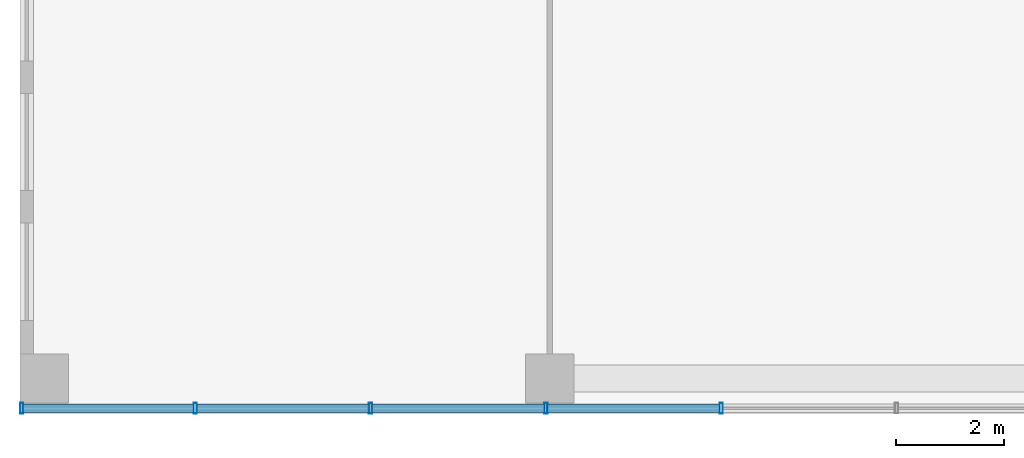
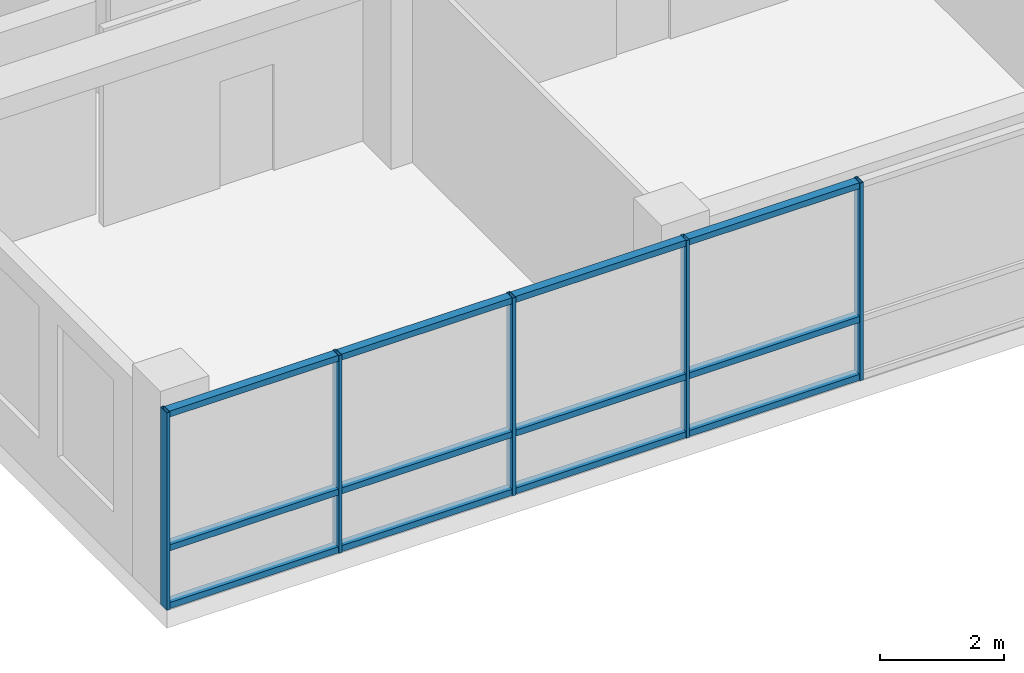
# One storey, part 2 of 72: 17 members, 1 element without a shape of its own.
"""IFC4 building model written with IfcOpenShell, lengths in metres."""

from ifc_helpers import new_model, si_unit, direction, frame, origin, origin_2d, place, context, subcontext, project, spatial, hollow_rectangle, extrude, material, layer, layer_set, material_profile, profile_set, type_object, element, aggregate, save


model = new_model("IFC4")

# Units and contexts
model_context = context("Model", 3, precision=1e-05, world=origin(), true_north=direction((0.0, 1.0)))
body_context = subcontext(model_context, "Body", "Model", "MODEL_VIEW")
ifc_project = project(units=[si_unit("LENGTHUNIT", "METRE"), si_unit("AREAUNIT", "SQUARE_METRE"), si_unit("VOLUMEUNIT", "CUBIC_METRE"), si_unit("PLANEANGLEUNIT", "RADIAN"), si_unit("MASSUNIT", "GRAM", prefix="KILO")], contexts=[model_context])

# Site, building, storey
site_placement = place(None, origin())
site = spatial("IfcSite", under=ifc_project, at=site_placement, CompositionType="ELEMENT")
building_placement = place(site_placement, origin())
building = spatial("IfcBuilding", under=site, at=building_placement, Name="Nzadi Deep Aquarium and Research Tower", CompositionType="ELEMENT")
storey_placement = place(building_placement, frame((0.0, 0.0, 31.89990234375)))
storey = spatial("IfcBuildingStorey", under=building, at=storey_placement, Name="L05", CompositionType="ELEMENT", Elevation=31.89990234375)

# Curtain wall, members
ifc_material_1 = material(Name="Aluminium unitised frame", Category="aluminium")
ifc_layer = layer(ifc_material_1, 0.199951171875)
ifc_layer_set = layer_set([ifc_layer], Name="Aluminium unitised frame")
curtain_wall_type = type_object("IfcCurtainWallType", Name="Curtain wall Unitised 200", PredefinedType="NOTDEFINED", material=ifc_layer_set)
curtain_wall_placement = place(storey_placement, origin())
curtain_wall = element("IfcCurtainWall", 1, at=curtain_wall_placement, inside=storey, type_object=curtain_wall_type, Name="Unitised curtain wall blade A south L05", PredefinedType="NOTDEFINED")
ifc_material_2 = material(Name="Aluminium unitised frame", Category="aluminium")
ifc_material_profile_1 = material_profile(ifc_material_2, hollow_rectangle(XDim=0.199951171875, YDim=0.06005859375, WallThickness=0.0048828125, at=origin_2d()))
ifc_profile_set_1 = profile_set([ifc_material_profile_1], Name="Aluminium unitised frame")
member_type_1 = type_object("IfcMemberType", Name="Mullion 60x200 Unitised", PredefinedType="MULLION", material=ifc_profile_set_1)
member_1_placement = place(storey_placement, frame((-0.16943359375, -0.10009765625, 0.0), z_axis=(0.0, 0.0, 1.0), x_axis=(0.0, 1.0, 0.0)))
member_1 = element("IfcMember", 2, at=member_1_placement, type_object=member_type_1, Name="CW001 mullion 1", PredefinedType="MULLION", context=body_context, shape_type="SweptSolid", body=[
    extrude(hollow_rectangle(XDim=0.199951171875, YDim=0.06005859375, WallThickness=0.0048828125, at=origin_2d()), origin(), (0.0, 0.0, 1.0), 3.900146484375),
])
member_2_placement = place(storey_placement, frame((3.043212890625, -0.10009765625, 0.0), z_axis=(0.0, 0.0, 1.0), x_axis=(0.0, 1.0, 0.0)))
member_2 = element("IfcMember", 3, at=member_2_placement, type_object=member_type_1, Name="CW001 mullion 2", PredefinedType="MULLION", context=body_context, shape_type="SweptSolid", body=[
    extrude(hollow_rectangle(XDim=0.199951171875, YDim=0.06005859375, WallThickness=0.0048828125, at=origin_2d()), origin(), (0.0, 0.0, 1.0), 3.900146484375),
])
member_3_placement = place(storey_placement, frame((6.28662109375, -0.10009765625, 0.0), z_axis=(0.0, 0.0, 1.0), x_axis=(0.0, 1.0, 0.0)))
member_3 = element("IfcMember", 4, at=member_3_placement, type_object=member_type_1, Name="CW001 mullion 3", PredefinedType="MULLION", context=body_context, shape_type="SweptSolid", body=[
    extrude(hollow_rectangle(XDim=0.199951171875, YDim=0.06005859375, WallThickness=0.0048828125, at=origin_2d()), origin(), (0.0, 0.0, 1.0), 3.900146484375),
])
member_4_placement = place(storey_placement, frame((9.530029296875, -0.10009765625, 0.0), z_axis=(0.0, 0.0, 1.0), x_axis=(0.0, 1.0, 0.0)))
member_4 = element("IfcMember", 5, at=member_4_placement, type_object=member_type_1, Name="CW001 mullion 4", PredefinedType="MULLION", context=body_context, shape_type="SweptSolid", body=[
    extrude(hollow_rectangle(XDim=0.199951171875, YDim=0.06005859375, WallThickness=0.0048828125, at=origin_2d()), origin(), (0.0, 0.0, 1.0), 3.900146484375),
])
member_5_placement = place(storey_placement, frame((12.7734375, -0.10009765625, 0.0), z_axis=(0.0, 0.0, 1.0), x_axis=(0.0, 1.0, 0.0)))
member_5 = element("IfcMember", 6, at=member_5_placement, type_object=member_type_1, Name="CW001 mullion 5", PredefinedType="MULLION", context=body_context, shape_type="SweptSolid", body=[
    extrude(hollow_rectangle(XDim=0.199951171875, YDim=0.06005859375, WallThickness=0.0048828125, at=origin_2d()), origin(), (0.0, 0.0, 1.0), 3.900146484375),
])
ifc_material_3 = material(Name="Aluminium unitised frame", Category="aluminium")
ifc_material_profile_2 = material_profile(ifc_material_3, hollow_rectangle(XDim=0.159912109375, YDim=0.1201171875, WallThickness=0.0048828125, at=origin_2d()))
ifc_profile_set_2 = profile_set([ifc_material_profile_2], Name="Aluminium unitised frame")
member_type_2 = type_object("IfcMemberType", Name="Transom 120x160 Unitised", PredefinedType="MULLION", material=ifc_profile_set_2)
member_6_placement = place(storey_placement, frame((-0.139892578125, -0.10009765625, 0.06005859375), z_axis=(1.0, 0.0, 0.0), x_axis=(0.0, 1.0, 0.0)))
member_6 = element("IfcMember", 7, at=member_6_placement, type_object=member_type_2, Name="CW001 transom 1.1", PredefinedType="MULLION", context=body_context, shape_type="SweptSolid", body=[
    extrude(hollow_rectangle(XDim=0.159912109375, YDim=0.1201171875, WallThickness=0.0048828125, at=origin_2d()), origin(), (0.0, 0.0, 1.0), 3.1533203125),
])
member_7_placement = place(storey_placement, frame((-0.139892578125, -0.10009765625, 1.2001953125), z_axis=(1.0, 0.0, 0.0), x_axis=(0.0, 1.0, 0.0)))
member_7 = element("IfcMember", 8, at=member_7_placement, type_object=member_type_2, Name="CW001 transom 1.2", PredefinedType="MULLION", context=body_context, shape_type="SweptSolid", body=[
    extrude(hollow_rectangle(XDim=0.159912109375, YDim=0.1201171875, WallThickness=0.0048828125, at=origin_2d()), origin(), (0.0, 0.0, 1.0), 3.1533203125),
])
member_8_placement = place(storey_placement, frame((-0.139892578125, -0.10009765625, 3.840087890625), z_axis=(1.0, 0.0, 0.0), x_axis=(0.0, 1.0, 0.0)))
member_8 = element("IfcMember", 9, at=member_8_placement, type_object=member_type_2, Name="CW001 transom 1.3", PredefinedType="MULLION", context=body_context, shape_type="SweptSolid", body=[
    extrude(hollow_rectangle(XDim=0.159912109375, YDim=0.1201171875, WallThickness=0.0048828125, at=origin_2d()), origin(), (0.0, 0.0, 1.0), 3.1533203125),
])
member_9_placement = place(storey_placement, frame((3.0732421875, -0.10009765625, 0.06005859375), z_axis=(1.0, 0.0, 0.0), x_axis=(0.0, 1.0, 0.0)))
member_9 = element("IfcMember", 10, at=member_9_placement, type_object=member_type_2, Name="CW001 transom 2.1", PredefinedType="MULLION", context=body_context, shape_type="SweptSolid", body=[
    extrude(hollow_rectangle(XDim=0.159912109375, YDim=0.1201171875, WallThickness=0.0048828125, at=origin_2d()), origin(), (0.0, 0.0, 1.0), 3.183349609375),
])
member_10_placement = place(storey_placement, frame((3.0732421875, -0.10009765625, 1.2001953125), z_axis=(1.0, 0.0, 0.0), x_axis=(0.0, 1.0, 0.0)))
member_10 = element("IfcMember", 11, at=member_10_placement, type_object=member_type_2, Name="CW001 transom 2.2", PredefinedType="MULLION", context=body_context, shape_type="SweptSolid", body=[
    extrude(hollow_rectangle(XDim=0.159912109375, YDim=0.1201171875, WallThickness=0.0048828125, at=origin_2d()), origin(), (0.0, 0.0, 1.0), 3.183349609375),
])
member_11_placement = place(storey_placement, frame((3.0732421875, -0.10009765625, 3.840087890625), z_axis=(1.0, 0.0, 0.0), x_axis=(0.0, 1.0, 0.0)))
member_11 = element("IfcMember", 12, at=member_11_placement, type_object=member_type_2, Name="CW001 transom 2.3", PredefinedType="MULLION", context=body_context, shape_type="SweptSolid", body=[
    extrude(hollow_rectangle(XDim=0.159912109375, YDim=0.1201171875, WallThickness=0.0048828125, at=origin_2d()), origin(), (0.0, 0.0, 1.0), 3.183349609375),
])
member_12_placement = place(storey_placement, frame((6.316650390625, -0.10009765625, 0.06005859375), z_axis=(1.0, 0.0, 0.0), x_axis=(0.0, 1.0, 0.0)))
member_12 = element("IfcMember", 13, at=member_12_placement, type_object=member_type_2, Name="CW001 transom 3.1", PredefinedType="MULLION", context=body_context, shape_type="SweptSolid", body=[
    extrude(hollow_rectangle(XDim=0.159912109375, YDim=0.1201171875, WallThickness=0.0048828125, at=origin_2d()), origin(), (0.0, 0.0, 1.0), 3.183349609375),
])
member_13_placement = place(storey_placement, frame((6.316650390625, -0.10009765625, 1.2001953125), z_axis=(1.0, 0.0, 0.0), x_axis=(0.0, 1.0, 0.0)))
member_13 = element("IfcMember", 14, at=member_13_placement, type_object=member_type_2, Name="CW001 transom 3.2", PredefinedType="MULLION", context=body_context, shape_type="SweptSolid", body=[
    extrude(hollow_rectangle(XDim=0.159912109375, YDim=0.1201171875, WallThickness=0.0048828125, at=origin_2d()), origin(), (0.0, 0.0, 1.0), 3.183349609375),
])
member_14_placement = place(storey_placement, frame((6.316650390625, -0.10009765625, 3.840087890625), z_axis=(1.0, 0.0, 0.0), x_axis=(0.0, 1.0, 0.0)))
member_14 = element("IfcMember", 15, at=member_14_placement, type_object=member_type_2, Name="CW001 transom 3.3", PredefinedType="MULLION", context=body_context, shape_type="SweptSolid", body=[
    extrude(hollow_rectangle(XDim=0.159912109375, YDim=0.1201171875, WallThickness=0.0048828125, at=origin_2d()), origin(), (0.0, 0.0, 1.0), 3.183349609375),
])
member_15_placement = place(storey_placement, frame((9.56005859375, -0.10009765625, 0.06005859375), z_axis=(1.0, 0.0, 0.0), x_axis=(0.0, 1.0, 0.0)))
member_15 = element("IfcMember", 16, at=member_15_placement, type_object=member_type_2, Name="CW001 transom 4.1", PredefinedType="MULLION", context=body_context, shape_type="SweptSolid", body=[
    extrude(hollow_rectangle(XDim=0.159912109375, YDim=0.1201171875, WallThickness=0.0048828125, at=origin_2d()), origin(), (0.0, 0.0, 1.0), 3.183349609375),
])
member_16_placement = place(storey_placement, frame((9.56005859375, -0.10009765625, 1.2001953125), z_axis=(1.0, 0.0, 0.0), x_axis=(0.0, 1.0, 0.0)))
member_16 = element("IfcMember", 17, at=member_16_placement, type_object=member_type_2, Name="CW001 transom 4.2", PredefinedType="MULLION", context=body_context, shape_type="SweptSolid", body=[
    extrude(hollow_rectangle(XDim=0.159912109375, YDim=0.1201171875, WallThickness=0.0048828125, at=origin_2d()), origin(), (0.0, 0.0, 1.0), 3.183349609375),
])
member_17_placement = place(storey_placement, frame((9.56005859375, -0.10009765625, 3.840087890625), z_axis=(1.0, 0.0, 0.0), x_axis=(0.0, 1.0, 0.0)))
member_17 = element("IfcMember", 18, at=member_17_placement, type_object=member_type_2, Name="CW001 transom 4.3", PredefinedType="MULLION", context=body_context, shape_type="SweptSolid", body=[
    extrude(hollow_rectangle(XDim=0.159912109375, YDim=0.1201171875, WallThickness=0.0048828125, at=origin_2d()), origin(), (0.0, 0.0, 1.0), 3.183349609375),
])
aggregate(curtain_wall, [member_1, member_2, member_3, member_4, member_5, member_6, member_7, member_8, member_9, member_10, member_11, member_12, member_13, member_14, member_15, member_16, member_17])

save(model, "model.ifc")
